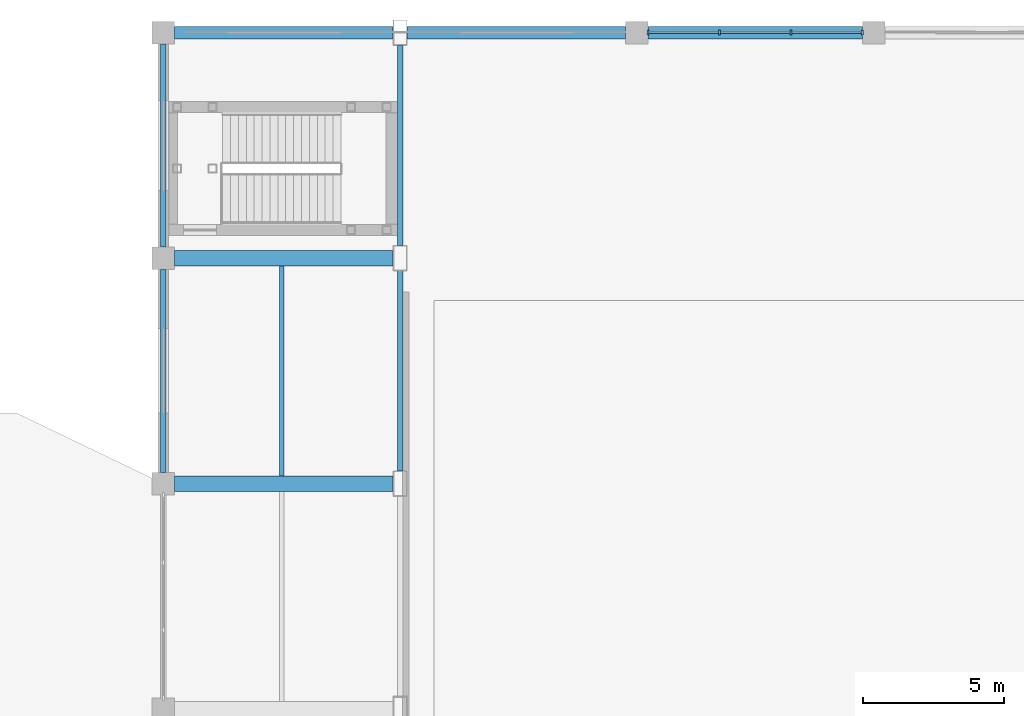
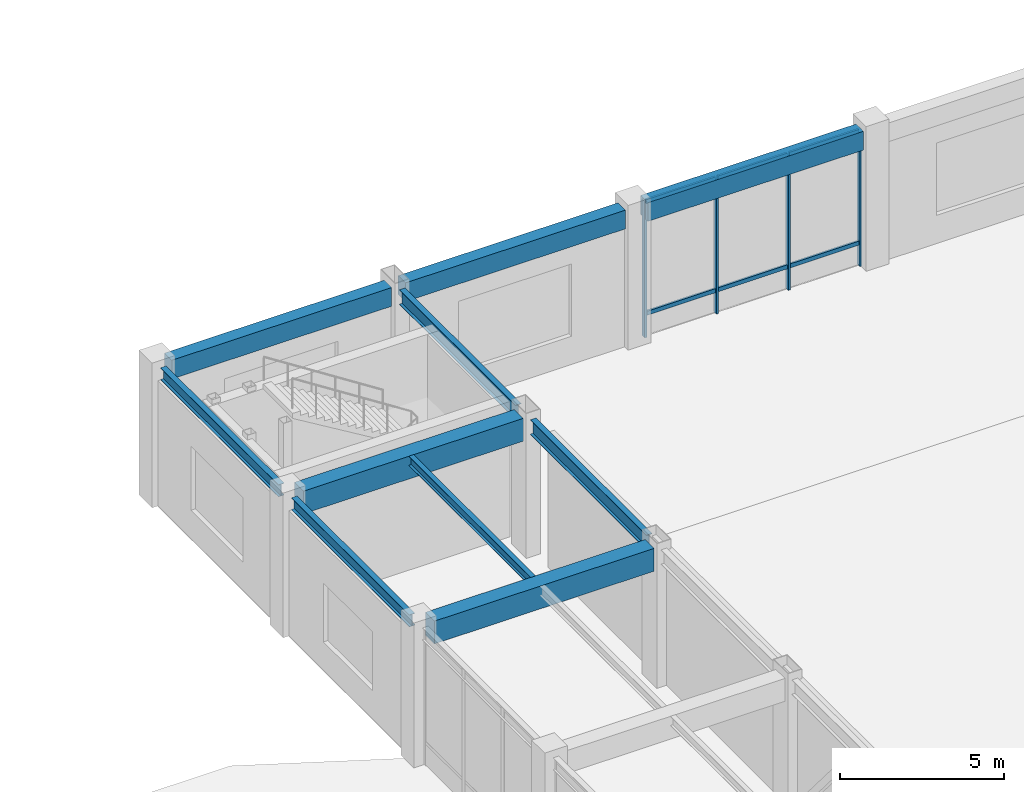
# One storey, part 41 of 79: 10 beams, 10 members, 1 element without a shape of its own.
"""IFC4 building model written with IfcOpenShell, lengths in metres."""

from ifc_helpers import new_model, si_unit, direction, frame, origin, origin_2d, place, context, subcontext, project, spatial, rectangle, i_section, extrude, material, layer, layer_set, material_profile, profile_set, type_object, element, aggregate, save


model = new_model("IFC4")

# Units and contexts
model_context = context("Model", 3, precision=1e-05, world=origin(), true_north=direction((0.0, 1.0)))
body_context = subcontext(model_context, "Body", "Model", "MODEL_VIEW")
ifc_project = project(units=[si_unit("LENGTHUNIT", "METRE"), si_unit("AREAUNIT", "SQUARE_METRE"), si_unit("VOLUMEUNIT", "CUBIC_METRE"), si_unit("PLANEANGLEUNIT", "RADIAN"), si_unit("MASSUNIT", "GRAM", prefix="KILO")], contexts=[model_context])

# Site, building, storey
site_placement = place(None, origin())
site = spatial("IfcSite", under=ifc_project, at=site_placement, CompositionType="ELEMENT")
building_placement = place(site_placement, origin())
building = spatial("IfcBuilding", under=site, at=building_placement, Name="Naruveol Harbour Congress Hotel", CompositionType="ELEMENT")
storey_placement = place(building_placement, frame((0.0, 0.0, 6.0)))
storey = spatial("IfcBuildingStorey", under=building, at=storey_placement, Name="L01", CompositionType="ELEMENT", Elevation=6.0)

# Beams
ifc_material_1 = material(Name="Concrete C40/50", Category="concrete")
ifc_material_profile_1 = material_profile(ifc_material_1, rectangle(XDim=0.550048828125, YDim=0.85009765625, at=origin_2d()), Name="RCB-550x850")
ifc_profile_set_1 = profile_set([ifc_material_profile_1], Name="Concrete C40/50")
beam_type_1 = type_object("IfcBeamType", Name="RC PRIMARY GIRDER 550X850", PredefinedType="BEAM", material=ifc_profile_set_1)
for number, where, z_axis, x_axis, name in (
    (1, (67.595947265625, 96.0, 4.695068359375), (1.0, 0.0, 0.0), (0.0, 1.0, 0.0), "Floor girder L02 CB2"),
    (2, (67.595947265625, 104.0, 4.695068359375), (1.0, 0.0, 0.0), (0.0, 1.0, 0.0), "Floor girder L02 CB2"),
):
    element("IfcBeam", number, at=place(storey_placement, frame(where, z_axis=z_axis, x_axis=x_axis)), inside=storey, type_object=beam_type_1, Name=name, PredefinedType="BEAM", context=body_context, shape_type="SweptSolid", body=[
        extrude(rectangle(XDim=0.550048828125, YDim=0.85009765625, at=origin_2d()), origin(), (0.0, 0.0, 1.0), 7.758056640625),
    ])
ifc_material_2 = material(Name="Concrete C40/50", Category="concrete")
ifc_material_profile_2 = material_profile(ifc_material_2, rectangle(XDim=0.449951171875, YDim=0.699951171875, at=origin_2d()), Name="RCB-450x700")
ifc_profile_set_2 = profile_set([ifc_material_profile_2], Name="Concrete C40/50")
beam_type_2 = type_object("IfcBeamType", Name="RC SPANDREL BEAM 450X700", PredefinedType="SPANDREL", material=ifc_profile_set_2)
for number, where, z_axis, x_axis, name in (
    (3, (67.595947265625, 112.0, 4.77001953125), (1.0, 0.0, 0.0), (0.0, 1.0, 0.0), "Floor girder L02 SPB1"),
    (4, (75.845947265625, 112.0, 4.77001953125), (1.0, 0.0, 0.0), (0.0, 1.0, 0.0), "Floor girder L02 SPB1"),
):
    element("IfcBeam", number, at=place(storey_placement, frame(where, z_axis=z_axis, x_axis=x_axis)), inside=storey, type_object=beam_type_2, Name=name, PredefinedType="SPANDREL", context=body_context, shape_type="SweptSolid", body=[
        extrude(rectangle(XDim=0.449951171875, YDim=0.699951171875, at=origin_2d()), origin(), (0.0, 0.0, 1.0), 7.758056640625),
    ])
beam_1_placement = place(storey_placement, frame((84.39599609375, 112.0, 4.77001953125), z_axis=(1.0, 0.0, 0.0), x_axis=(0.0, 1.0, 0.0)))
element("IfcBeam", 5, at=beam_1_placement, inside=storey, type_object=beam_type_2, Name="Floor girder L02 SPB1", PredefinedType="SPANDREL", context=body_context, shape_type="SweptSolid", body=[
    extrude(rectangle(XDim=0.449951171875, YDim=0.699951171875, at=origin_2d()), origin(), (0.0, 0.0, 1.0), 7.60791015625),
])
ifc_material_3 = material(Name="Steel SN490", Category="steel")
ifc_material_profile_3 = material_profile(ifc_material_3, i_section(OverallWidth=0.199951171875, OverallDepth=0.550048828125, WebThickness=0.010986328125, FlangeThickness=0.01708984375, at=origin_2d()), Name="H-550x200x11x17")
ifc_profile_set_3 = profile_set([ifc_material_profile_3], Name="Steel SN490")
beam_type_3 = type_object("IfcBeamType", Name="STEEL HALL GALLERY BEAM H550", PredefinedType="BEAM", material=ifc_profile_set_3)
for number, where, z_axis, x_axis, name in (
    (6, (75.60009765625, 96.446044921875, 4.844970703125), (0.0, 1.0, 0.0), (-1.0, 0.0, 0.0), "Transverse girder L02 SB4"),
    (7, (75.60009765625, 104.446044921875, 4.844970703125), (0.0, 1.0, 0.0), (-1.0, 0.0, 0.0), "Transverse girder L02 SB4"),
):
    element("IfcBeam", number, at=place(storey_placement, frame(where, z_axis=z_axis, x_axis=x_axis)), inside=storey, type_object=beam_type_3, Name=name, PredefinedType="BEAM", context=body_context, shape_type="SweptSolid", body=[
        extrude(i_section(OverallWidth=0.199951171875, OverallDepth=0.550048828125, WebThickness=0.010986328125, FlangeThickness=0.01708984375, at=origin_2d()), origin(), (0.0, 0.0, 1.0), 7.10791015625),
    ])
ifc_material_4 = material(Name="Steel SN490", Category="steel")
ifc_material_profile_4 = material_profile(ifc_material_4, i_section(OverallWidth=0.175048828125, OverallDepth=0.35009765625, WebThickness=0.007080078125, FlangeThickness=0.010986328125, at=origin_2d()), Name="H-350x175x7x11")
ifc_profile_set_4 = profile_set([ifc_material_profile_4], Name="Steel SN490")
beam_type_4 = type_object("IfcBeamType", Name="STEEL SECONDARY JOIST H350", PredefinedType="JOIST", material=ifc_profile_set_4)
beam_2_placement = place(storey_placement, frame((71.39990234375, 96.27099609375, 4.945068359375), z_axis=(0.0, 1.0, 0.0), x_axis=(-1.0, 0.0, 0.0)))
element("IfcBeam", 8, at=beam_2_placement, inside=storey, type_object=beam_type_4, Name="Secondary floor joist L02 SJ2", PredefinedType="JOIST", context=body_context, shape_type="SweptSolid", body=[
    extrude(i_section(OverallWidth=0.175048828125, OverallDepth=0.35009765625, WebThickness=0.007080078125, FlangeThickness=0.010986328125, at=origin_2d()), origin(), (0.0, 0.0, 1.0), 7.4580078125),
])
ifc_material_5 = material(Name="Steel SN490", Category="steel")
ifc_material_profile_5 = material_profile(ifc_material_5, i_section(OverallWidth=0.199951171875, OverallDepth=0.449951171875, WebThickness=0.009033203125, FlangeThickness=0.013916015625, at=origin_2d()), Name="H-450x200x9x14")
ifc_profile_set_5 = profile_set([ifc_material_profile_5], Name="Steel SN490")
beam_type_5 = type_object("IfcBeamType", Name="STEEL SPANDREL EDGE BEAM H450", PredefinedType="SPANDREL", material=ifc_profile_set_5)
for number, where, z_axis, x_axis, name in (
    (9, (67.199951171875, 96.39599609375, 4.89501953125), (0.0, 1.0, 0.0), (-1.0, 0.0, 0.0), "Transverse girder L02 SPB2"),
    (10, (67.199951171875, 104.39599609375, 4.89501953125), (0.0, 1.0, 0.0), (-1.0, 0.0, 0.0), "Transverse girder L02 SPB2"),
):
    element("IfcBeam", number, at=place(storey_placement, frame(where, z_axis=z_axis, x_axis=x_axis)), inside=storey, type_object=beam_type_5, Name=name, PredefinedType="SPANDREL", context=body_context, shape_type="SweptSolid", body=[
        extrude(i_section(OverallWidth=0.199951171875, OverallDepth=0.449951171875, WebThickness=0.009033203125, FlangeThickness=0.013916015625, at=origin_2d()), origin(), (0.0, 0.0, 1.0), 7.2080078125),
    ])

# Curtain wall, members
ifc_material_6 = material(Name="Low-E Curtain Wall System", Category="glass")
ifc_layer = layer(ifc_material_6, 0.179931640625)
ifc_layer_set = layer_set([ifc_layer], Name="Low-E Curtain Wall System")
curtain_wall_type = type_object("IfcCurtainWallType", Name="UNITISED CURTAIN WALL CW-V2N-18 7600X5100", PredefinedType="USERDEFINED", material=ifc_layer_set)
curtain_wall_placement = place(storey_placement, origin())
curtain_wall = element("IfcCurtainWall", 11, at=curtain_wall_placement, inside=storey, type_object=curtain_wall_type, Name="Unitised curtain wall CW-V2N-18 L01", ObjectType="UNITISED GLAZING", PredefinedType="USERDEFINED")
ifc_material_7 = material(Name="Anodised Aluminium 6063-T6", Category="aluminium")
ifc_material_profile_6 = material_profile(ifc_material_7, rectangle(XDim=0.074951171875, YDim=0.179931640625, at=origin_2d()), Name="ALU-75x180")
ifc_profile_set_6 = profile_set([ifc_material_profile_6], Name="Anodised Aluminium 6063-T6")
member_type_1 = type_object("IfcMemberType", Name="THERMAL ALUMINIUM MULLION 75X180", PredefinedType="MULLION", material=ifc_profile_set_6)
member_1_placement = place(storey_placement, frame((84.39990234375, 112.0, 0.0), z_axis=(0.0, 0.0, 1.0), x_axis=(1.0, 0.0, 0.0)))
member_1 = element("IfcMember", 12, at=member_1_placement, type_object=member_type_1, Name="Curtain wall mullion CW-L01-0039-M0", PredefinedType="MULLION", context=body_context, shape_type="SweptSolid", body=[
    extrude(rectangle(XDim=0.074951171875, YDim=0.179931640625, at=origin_2d()), origin(), (0.0, 0.0, 1.0), 5.10009765625),
])
member_2_placement = place(storey_placement, frame((86.933349609375, 112.0, 0.0), z_axis=(0.0, 0.0, 1.0), x_axis=(1.0, 0.0, 0.0)))
member_2 = element("IfcMember", 13, at=member_2_placement, type_object=member_type_1, Name="Curtain wall mullion CW-L01-0039-M1", PredefinedType="MULLION", context=body_context, shape_type="SweptSolid", body=[
    extrude(rectangle(XDim=0.074951171875, YDim=0.179931640625, at=origin_2d()), origin(), (0.0, 0.0, 1.0), 5.10009765625),
])
member_3_placement = place(storey_placement, frame((89.466796875, 112.0, 0.0), z_axis=(0.0, 0.0, 1.0), x_axis=(1.0, 0.0, 0.0)))
member_3 = element("IfcMember", 14, at=member_3_placement, type_object=member_type_1, Name="Curtain wall mullion CW-L01-0039-M2", PredefinedType="MULLION", context=body_context, shape_type="SweptSolid", body=[
    extrude(rectangle(XDim=0.074951171875, YDim=0.179931640625, at=origin_2d()), origin(), (0.0, 0.0, 1.0), 5.10009765625),
])
member_4_placement = place(storey_placement, frame((92.0, 112.0, 0.0), z_axis=(0.0, 0.0, 1.0), x_axis=(1.0, 0.0, 0.0)))
member_4 = element("IfcMember", 15, at=member_4_placement, type_object=member_type_1, Name="Curtain wall mullion CW-L01-0039-M3", PredefinedType="MULLION", context=body_context, shape_type="SweptSolid", body=[
    extrude(rectangle(XDim=0.074951171875, YDim=0.179931640625, at=origin_2d()), origin(), (0.0, 0.0, 1.0), 5.10009765625),
])
ifc_material_8 = material(Name="Anodised Aluminium 6063-T6", Category="aluminium")
ifc_material_profile_7 = material_profile(ifc_material_8, rectangle(XDim=0.074951171875, YDim=0.14990234375, at=origin_2d()), Name="ALU-75x150")
ifc_profile_set_7 = profile_set([ifc_material_profile_7], Name="Anodised Aluminium 6063-T6")
member_type_2 = type_object("IfcMemberType", Name="THERMAL ALUMINIUM TRANSOM 75X150", PredefinedType="USERDEFINED", material=ifc_profile_set_7)
member_5_placement = place(storey_placement, frame((84.43994140625, 112.0, 0.85009765625), z_axis=(1.0, 0.0, 0.0), x_axis=(0.0, 1.0, 0.0)))
member_5 = element("IfcMember", 16, at=member_5_placement, type_object=member_type_2, Name="Curtain wall transom CW-L01-0039-T0.1", ObjectType="TRANSOM", PredefinedType="USERDEFINED", context=body_context, shape_type="SweptSolid", body=[
    extrude(rectangle(XDim=0.074951171875, YDim=0.14990234375, at=origin_2d()), origin(), (0.0, 0.0, 1.0), 2.453369140625),
])
member_6_placement = place(storey_placement, frame((84.43994140625, 112.0, 5.02001953125), z_axis=(1.0, 0.0, 0.0), x_axis=(0.0, 1.0, 0.0)))
member_6 = element("IfcMember", 17, at=member_6_placement, type_object=member_type_2, Name="Curtain wall transom CW-L01-0039-T0.2", ObjectType="TRANSOM", PredefinedType="USERDEFINED", context=body_context, shape_type="SweptSolid", body=[
    extrude(rectangle(XDim=0.074951171875, YDim=0.14990234375, at=origin_2d()), origin(), (0.0, 0.0, 1.0), 2.453369140625),
])
member_7_placement = place(storey_placement, frame((86.973388671875, 112.0, 0.85009765625), z_axis=(1.0, 0.0, 0.0), x_axis=(0.0, 1.0, 0.0)))
member_7 = element("IfcMember", 18, at=member_7_placement, type_object=member_type_2, Name="Curtain wall transom CW-L01-0039-T1.1", ObjectType="TRANSOM", PredefinedType="USERDEFINED", context=body_context, shape_type="SweptSolid", body=[
    extrude(rectangle(XDim=0.074951171875, YDim=0.14990234375, at=origin_2d()), origin(), (0.0, 0.0, 1.0), 2.453369140625),
])
member_8_placement = place(storey_placement, frame((86.973388671875, 112.0, 5.02001953125), z_axis=(1.0, 0.0, 0.0), x_axis=(0.0, 1.0, 0.0)))
member_8 = element("IfcMember", 19, at=member_8_placement, type_object=member_type_2, Name="Curtain wall transom CW-L01-0039-T1.2", ObjectType="TRANSOM", PredefinedType="USERDEFINED", context=body_context, shape_type="SweptSolid", body=[
    extrude(rectangle(XDim=0.074951171875, YDim=0.14990234375, at=origin_2d()), origin(), (0.0, 0.0, 1.0), 2.453369140625),
])
member_9_placement = place(storey_placement, frame((89.506591796875, 112.0, 0.85009765625), z_axis=(1.0, 0.0, 0.0), x_axis=(0.0, 1.0, 0.0)))
member_9 = element("IfcMember", 20, at=member_9_placement, type_object=member_type_2, Name="Curtain wall transom CW-L01-0039-T2.1", ObjectType="TRANSOM", PredefinedType="USERDEFINED", context=body_context, shape_type="SweptSolid", body=[
    extrude(rectangle(XDim=0.074951171875, YDim=0.14990234375, at=origin_2d()), origin(), (0.0, 0.0, 1.0), 2.453369140625),
])
member_10_placement = place(storey_placement, frame((89.506591796875, 112.0, 5.02001953125), z_axis=(1.0, 0.0, 0.0), x_axis=(0.0, 1.0, 0.0)))
member_10 = element("IfcMember", 21, at=member_10_placement, type_object=member_type_2, Name="Curtain wall transom CW-L01-0039-T2.2", ObjectType="TRANSOM", PredefinedType="USERDEFINED", context=body_context, shape_type="SweptSolid", body=[
    extrude(rectangle(XDim=0.074951171875, YDim=0.14990234375, at=origin_2d()), origin(), (0.0, 0.0, 1.0), 2.453369140625),
])
aggregate(curtain_wall, [member_1, member_2, member_3, member_4, member_5, member_6, member_7, member_8, member_9, member_10])

save(model, "model.ifc")
